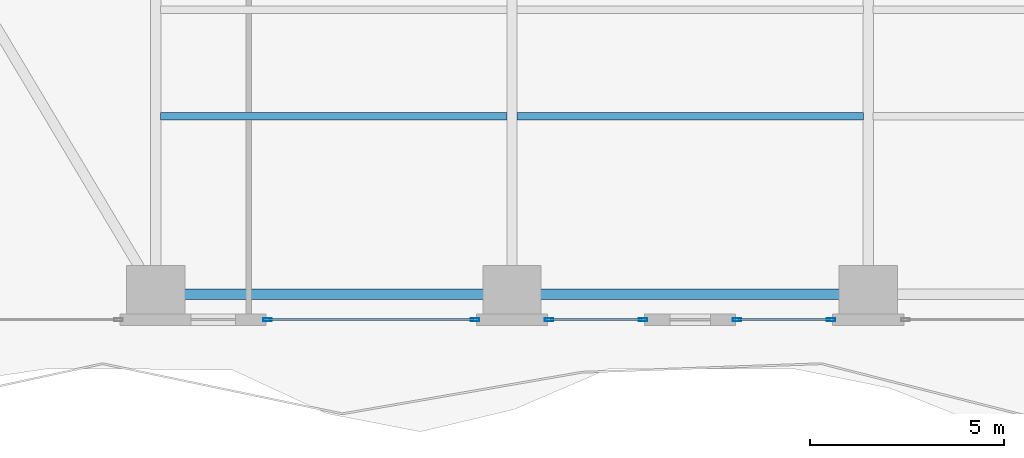
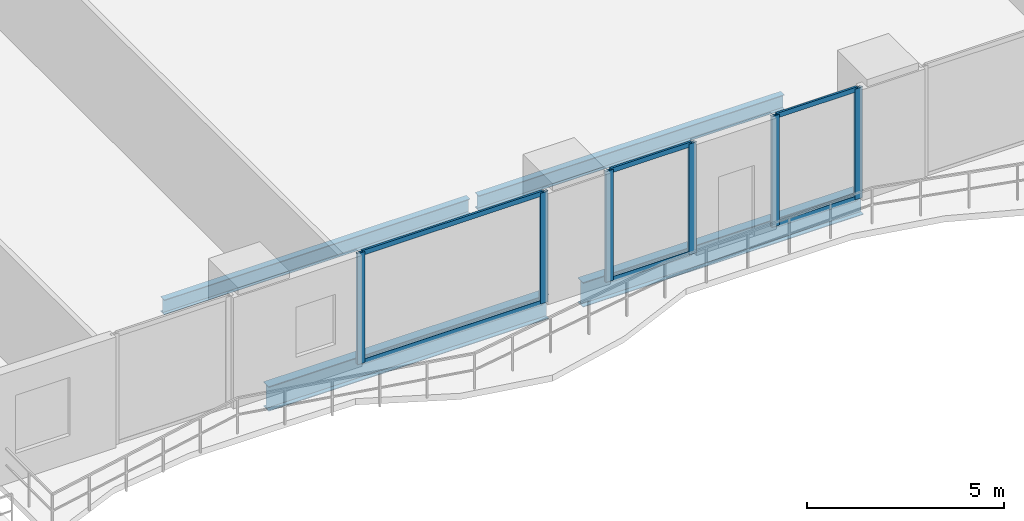
# One storey, part 4 of 28: 12 members, 4 beams, 3 elements without a shape of their own.
"""IFC4 building model written with IfcOpenShell, lengths in metres."""

import ifcopenshell
import ifcopenshell.guid

model = None  # the IFC model being written
_history = None  # IfcOwnerHistory: only IFC2X3 demands one
_inside = {}  # id of a spatial element -> (the spatial element, [elements in it])
_under = {}  # id of a project, library or spatial element -> (it, [spatial elements below it])
_declared = {}  # id of a project -> (the project, [libraries it declares])
_typed = {}  # id of a type object -> (the type object, [elements of that type])
_made_of = {}  # id of a material, layer set ... -> (it, [elements and type objects made of it])


def new_model(schema):
    """Start an empty IFC model of exactly this schema.

    Asked for "IFC4X3", IfcOpenShell would pick the latest addendum, in which some entities
    have other attributes; the version numbers below select the first issue.
    IFC2X3 requires an IfcOwnerHistory on every rooted entity: one is made here for all.
    """
    global model, _history
    if schema == "IFC4X3":
        model = ifcopenshell.file(schema_version=(4, 3, 0, 0))
    else:
        model = ifcopenshell.file(schema=schema)
    _inside.clear()
    _under.clear()
    _declared.clear()
    _typed.clear()
    _made_of.clear()
    _history = None
    if model.schema == "IFC2X3":
        org = make("IfcOrganization", Name="unknown")
        user = make(
            "IfcPersonAndOrganization",
            ThePerson=make("IfcPerson", FamilyName="unknown"),
            TheOrganization=org,
        )
        app = make(
            "IfcApplication",
            ApplicationDeveloper=org,
            Version="unknown",
            ApplicationFullName="unknown",
            ApplicationIdentifier="unknown",
        )
        _history = make(
            "IfcOwnerHistory",
            OwningUser=user,
            OwningApplication=app,
            ChangeAction="ADDED",
            CreationDate=0,
        )
    return model


def make(cls, **values):
    """One entity of the class cls with the attributes given. An attribute that is None is left unset."""
    return model.create_entity(
        cls, **{name: value for name, value in values.items() if value is not None}
    )


def rooted(cls, **values):
    """An entity with a GlobalId (a new one), such as an element, a storey or a relation."""
    return make(cls, GlobalId=ifcopenshell.guid.new(), OwnerHistory=_history, **values)


def si_unit(unit_type, name, prefix=None):
    """IfcSIUnit, for example si_unit("LENGTHUNIT", "METRE", prefix="MILLI")."""
    return make("IfcSIUnit", UnitType=unit_type, Prefix=prefix, Name=name)


def assignment(units):
    """IfcUnitAssignment: the units of a project."""
    return None if units is None else make("IfcUnitAssignment", Units=units)


def point(xyz):
    """IfcCartesianPoint."""
    return None if xyz is None else make("IfcCartesianPoint", Coordinates=xyz)


def direction(xyz):
    """IfcDirection."""
    return None if xyz is None else make("IfcDirection", DirectionRatios=xyz)


def frame(location, z_axis=None, x_axis=None):
    """IfcAxis2Placement3D, a coordinate frame: its origin and axes. An axis left out is left unset."""
    return make(
        "IfcAxis2Placement3D",
        Location=point(location),
        Axis=direction(z_axis),
        RefDirection=direction(x_axis),
    )


def frame_2d(location, x_axis=None):
    """IfcAxis2Placement2D, a coordinate frame in the plane: its origin and x axis."""
    return make(
        "IfcAxis2Placement2D", Location=point(location), RefDirection=direction(x_axis)
    )


def origin():
    """The frame at (0, 0, 0) with its axes left unset."""
    return frame((0.0, 0.0, 0.0))


def origin_2d():
    """The frame at (0, 0) in the plane with its x axis left unset."""
    return frame_2d((0.0, 0.0))


def place(relative_to, where):
    """IfcLocalPlacement: puts the frame where relative to a parent placement (None: the world)."""
    return make(
        "IfcLocalPlacement", PlacementRelTo=relative_to, RelativePlacement=where
    )


def context(
    kind, dimensions, precision=None, world=None, true_north=None, identifier=None
):
    """IfcGeometricRepresentationContext, for example the 3D "Model" context."""
    return make(
        "IfcGeometricRepresentationContext",
        ContextIdentifier=identifier,
        ContextType=kind,
        CoordinateSpaceDimension=dimensions,
        Precision=precision,
        WorldCoordinateSystem=world,
        TrueNorth=true_north,
    )


def subcontext(parent, identifier, kind, view, scale=None):
    """IfcGeometricRepresentationSubContext, for example "Body" below "Model"."""
    return make(
        "IfcGeometricRepresentationSubContext",
        ContextIdentifier=identifier,
        ContextType=kind,
        ParentContext=parent,
        TargetScale=scale,
        TargetView=view,
    )


def project(units=None, contexts=None):
    """IfcProject with its units and contexts."""
    return rooted(
        "IfcProject",
        Name="project",
        RepresentationContexts=contexts,
        UnitsInContext=assignment(units),
    )


def spatial(cls, under=None, at=None, **own):
    """A site, building, storey or space (cls), placed at a placement, below another one or the project."""
    s = rooted(cls, ObjectPlacement=at, **own)
    if under is not None:
        _under.setdefault(under.id(), (under, []))[1].append(s)
    return s


def profile(cls, at=None, kind="AREA", **sizes):
    """A parametric profile (cls). Its sizes go by their IFC names, for example OverallWidth=200.0."""
    return make(cls, ProfileType=kind, Position=at, **sizes)


def hollow_rectangle(**sizes):
    """IfcRectangleHollowProfileDef."""
    return profile("IfcRectangleHollowProfileDef", **sizes)


def i_section(**sizes):
    """IfcIShapeProfileDef."""
    return profile("IfcIShapeProfileDef", **sizes)


def extrude(swept, where, along, depth):
    """IfcExtrudedAreaSolid: the profile swept, set in the frame where, extruded along a direction by depth."""
    return make(
        "IfcExtrudedAreaSolid",
        SweptArea=swept,
        Position=where,
        ExtrudedDirection=direction(along),
        Depth=depth,
    )


def shape(context_of_items, identifier, shape_type, items):
    """IfcShapeRepresentation: the items that make up one representation, for example the "Body"."""
    return make(
        "IfcShapeRepresentation",
        ContextOfItems=context_of_items,
        RepresentationIdentifier=identifier,
        RepresentationType=shape_type,
        Items=items,
    )


def material(Name=None, Category=None):
    """IfcMaterial."""
    return make("IfcMaterial", Name=Name, Category=Category)


def layer(
    of_material, thickness, ventilated=None, Name=None, Category=None, Priority=None
):
    """IfcMaterialLayer: one layer of a wall or slab, of a material (None: an air gap)."""
    return make(
        "IfcMaterialLayer",
        Material=of_material,
        LayerThickness=thickness,
        IsVentilated=ventilated,
        Name=Name,
        Category=Category,
        Priority=Priority,
    )


def layer_set(layers, Name=None):
    """IfcMaterialLayerSet."""
    return make("IfcMaterialLayerSet", MaterialLayers=layers, LayerSetName=Name)


def material_profile(
    of_material, cross_section, Name=None, Category=None, Priority=None
):
    """IfcMaterialProfile: a cross section and its material."""
    return make(
        "IfcMaterialProfile",
        Name=Name,
        Material=of_material,
        Profile=cross_section,
        Priority=Priority,
        Category=Category,
    )


def profile_set(profiles, Name=None, composite=None):
    """IfcMaterialProfileSet."""
    return make(
        "IfcMaterialProfileSet",
        Name=Name,
        MaterialProfiles=profiles,
        CompositeProfile=composite,
    )


def made_of(thing, what):
    """Note that an element or type object is made of a material, layer set ...; save() writes the relation."""
    if what is not None:
        _made_of.setdefault(what.id(), (what, []))[1].append(thing)
    return thing


def type_object(cls, material=None, **own):
    """A type object (cls), such as IfcWallType, which elements share."""
    return made_of(rooted(cls, **own), material)


def element(
    cls,
    number,
    at=None,
    inside=None,
    cuts=None,
    type_object=None,
    material=None,
    context=None,
    identifier="Body",
    shape_type=None,
    held_by="IfcProductDefinitionShape",
    body=None,
    shapes=None,
    **own,
):
    """One element of the class cls, such as IfcWall. Its Tag is "e" and its number.

    at: its placement. inside: the storey or other place that contains it. cuts: it is an
    opening in that element (IfcRelVoidsElement). A single representation is given by context,
    identifier, shape_type and body (its items); several are given by shapes. held_by: the class
    of the entity that holds the representations. save() writes the other relations.
    """
    e = rooted(cls, Tag="e%d" % number, ObjectPlacement=at, **own)
    if body is not None:
        shapes = [shape(context, identifier, shape_type, body)]
    if shapes is not None:
        e.Representation = make(held_by, Representations=shapes)
    if inside is not None:
        _inside.setdefault(inside.id(), (inside, []))[1].append(e)
    if cuts is not None:
        rooted(
            "IfcRelVoidsElement", RelatingBuildingElement=cuts, RelatedOpeningElement=e
        )
    if type_object is not None:
        _typed.setdefault(type_object.id(), (type_object, []))[1].append(e)
    return made_of(e, material)


def aggregate(whole, parts):
    """IfcRelAggregates: a whole, such as a stair, and the parts it consists of."""
    return rooted("IfcRelAggregates", RelatingObject=whole, RelatedObjects=parts)


def save(model, path):
    """Write the relations noted so far, then the file.

    IfcRelAggregates (storeys below a building ...), IfcRelContainedInSpatialStructure (elements
    in a storey), IfcRelDefinesByType, IfcRelAssociatesMaterial and IfcRelDeclares: one each for
    every whole, place, type object, material and project.
    """
    for whole, parts in _under.values():
        aggregate(whole, parts)
    for where, things in _inside.values():
        rooted(
            "IfcRelContainedInSpatialStructure",
            RelatedElements=things,
            RelatingStructure=where,
        )
    for kind, things in _typed.values():
        rooted("IfcRelDefinesByType", RelatedObjects=things, RelatingType=kind)
    for what, things in _made_of.values():
        rooted("IfcRelAssociatesMaterial", RelatedObjects=things, RelatingMaterial=what)
    for by, libraries in _declared.values():
        rooted("IfcRelDeclares", RelatingContext=by, RelatedDefinitions=libraries)
    model.write(path)


model = new_model("IFC4")

# Units and contexts
model_context = context("Model", 3, precision=1e-05, world=origin(), true_north=direction((0.0, 1.0)))
body_context = subcontext(model_context, "Body", "Model", "MODEL_VIEW")
ifc_project = project(units=[si_unit("LENGTHUNIT", "METRE"), si_unit("AREAUNIT", "SQUARE_METRE"), si_unit("VOLUMEUNIT", "CUBIC_METRE"), si_unit("PLANEANGLEUNIT", "RADIAN"), si_unit("MASSUNIT", "GRAM", prefix="KILO")], contexts=[model_context])

# Site, building, storey
site_placement = place(None, origin())
site = spatial("IfcSite", under=ifc_project, at=site_placement, CompositionType="ELEMENT")
building_placement = place(site_placement, origin())
building = spatial("IfcBuilding", under=site, at=building_placement, Name="Zuhayl Quay Hotel", CompositionType="ELEMENT")
storey_placement = place(building_placement, frame((0.0, 0.0, 75.050048828125)))
storey = spatial("IfcBuildingStorey", under=building, at=storey_placement, Name="L18", CompositionType="ELEMENT", Elevation=75.050048828125)

# Beams
ifc_material_1 = material(Name="Steel ASTM A992 Grade 50", Category="steel")
ifc_material_profile_1 = material_profile(ifc_material_1, i_section(OverallWidth=0.26708984375, OverallDepth=0.761962890625, WebThickness=0.014404296875, FlangeThickness=0.021484375, at=origin_2d()), Name="W30X116")
ifc_profile_set_1 = profile_set([ifc_material_profile_1], Name="Steel ASTM A992 Grade 50")
beam_type_1 = type_object("IfcBeamType", Name="BM_B1_W30X116", PredefinedType="BEAM", material=ifc_profile_set_1)
beam_1_placement = place(storey_placement, frame((-13.300048828125, -22.449951171875, -0.60107421875), z_axis=(1.0, 0.0, 0.0), x_axis=(0.0, 1.0, 0.0)))
element("IfcBeam", 1, at=beam_1_placement, inside=storey, type_object=beam_type_1, Name="L18 Floor Beam RG_L18_01", PredefinedType="BEAM", context=body_context, shape_type="SweptSolid", body=[
    extrude(i_section(OverallWidth=0.26708984375, OverallDepth=0.761962890625, WebThickness=0.014404296875, FlangeThickness=0.021484375, at=origin_2d()), origin(), (0.0, 0.0, 1.0), 8.199951171875),
])
beam_2_placement = place(storey_placement, frame((-4.10009765625, -22.449951171875, -0.60107421875), z_axis=(1.0, 0.0, 0.0), x_axis=(0.0, 1.0, 0.0)))
element("IfcBeam", 2, at=beam_2_placement, inside=storey, type_object=beam_type_1, Name="L18 Floor Beam RG_L18_02", PredefinedType="BEAM", context=body_context, shape_type="SweptSolid", body=[
    extrude(i_section(OverallWidth=0.26708984375, OverallDepth=0.761962890625, WebThickness=0.014404296875, FlangeThickness=0.021484375, at=origin_2d()), origin(), (0.0, 0.0, 1.0), 8.2001953125),
])
ifc_material_profile_2 = material_profile(ifc_material_1, i_section(OverallWidth=0.18994140625, OverallDepth=0.45703125, WebThickness=0.009033203125, FlangeThickness=0.014404296875, at=origin_2d()), Name="W18X50")
ifc_profile_set_2 = profile_set([ifc_material_profile_2], Name="Steel ASTM A992 Grade 50")
beam_type_2 = type_object("IfcBeamType", Name="BM_J2_W18X50", PredefinedType="JOIST", material=ifc_profile_set_2)
beam_3_placement = place(storey_placement, frame((-13.674560546875, -17.85009765625, -0.448486328125), z_axis=(1.0, 0.0, 0.0), x_axis=(0.0, 1.0, 0.0)))
element("IfcBeam", 3, at=beam_3_placement, inside=storey, type_object=beam_type_2, Name="L18 Floor Beam FJ_L18_3_1", PredefinedType="JOIST", context=body_context, shape_type="SweptSolid", body=[
    extrude(i_section(OverallWidth=0.18994140625, OverallDepth=0.45703125, WebThickness=0.009033203125, FlangeThickness=0.014404296875, at=origin_2d()), origin(), (0.0, 0.0, 1.0), 8.948974609375),
])
beam_4_placement = place(storey_placement, frame((-4.474609375, -17.85009765625, -0.448486328125), z_axis=(1.0, 0.0, 0.0), x_axis=(0.0, 1.0, 0.0)))
element("IfcBeam", 4, at=beam_4_placement, inside=storey, type_object=beam_type_2, Name="L18 Floor Beam FJ_L18_3_2", PredefinedType="JOIST", context=body_context, shape_type="SweptSolid", body=[
    extrude(i_section(OverallWidth=0.18994140625, OverallDepth=0.45703125, WebThickness=0.009033203125, FlangeThickness=0.014404296875, at=origin_2d()), origin(), (0.0, 0.0, 1.0), 8.94921875),
])

# Curtain wall, members
ifc_material_2 = material(Name="Anodised Aluminium 6063-T6", Category="aluminium")
ifc_layer = layer(ifc_material_2, 0.18994140625, Name="Anodised Aluminium 6063-T6", Category="aluminium")
ifc_layer_set = layer_set([ifc_layer], Name="Anodised Aluminium 6063-T6")
curtain_wall_type = type_object("IfcCurtainWallType", Name="CW_SYS_Z1", PredefinedType="USERDEFINED", material=ifc_layer_set)
curtain_wall_1_placement = place(storey_placement, origin())
curtain_wall_1 = element("IfcCurtainWall", 5, at=curtain_wall_1_placement, inside=storey, type_object=curtain_wall_type, Name="L18 Curtain Wall ENV_L18_S_CW3", ObjectType="UNITISED CURTAIN WALL", PredefinedType="USERDEFINED")
ifc_material_3 = material(Name="Black-anodised aluminium 6063-T6", Category="aluminium")
ifc_material_profile_3 = material_profile(ifc_material_3, hollow_rectangle(XDim=0.074951171875, YDim=0.219970703125, WallThickness=0.00390625, at=origin_2d()), Name="ALU220X75")
ifc_profile_set_3 = profile_set([ifc_material_profile_3], Name="Black-anodised aluminium 6063-T6")
member_type_1 = type_object("IfcMemberType", Name="MB_CW_MUL_220", PredefinedType="MULLION", material=ifc_profile_set_3)
member_1_placement = place(storey_placement, frame((3.642578125, -23.10009765625, 0.0), z_axis=(0.0, 0.0, 1.0), x_axis=(0.0, -1.0, 0.0)))
member_1 = element("IfcMember", 6, at=member_1_placement, type_object=member_type_1, Name="CW-Z1 mullion 1", PredefinedType="MULLION", context=body_context, shape_type="SweptSolid", body=[
    extrude(hollow_rectangle(XDim=0.074951171875, YDim=0.219970703125, WallThickness=0.00390625, at=origin_2d()), origin(), (0.0, 0.0, 1.0), 3.429931640625),
])
member_2_placement = place(storey_placement, frame((1.21240234375, -23.10009765625, 0.0), z_axis=(0.0, 0.0, 1.0), x_axis=(0.0, -1.0, 0.0)))
member_2 = element("IfcMember", 7, at=member_2_placement, type_object=member_type_1, Name="CW-Z1 mullion 2", PredefinedType="MULLION", context=body_context, shape_type="SweptSolid", body=[
    extrude(hollow_rectangle(XDim=0.074951171875, YDim=0.219970703125, WallThickness=0.00390625, at=origin_2d()), origin(), (0.0, 0.0, 1.0), 3.429931640625),
])

curtain_wall_2_placement = place(storey_placement, origin())
curtain_wall_2 = element("IfcCurtainWall", 8, at=curtain_wall_2_placement, inside=storey, type_object=curtain_wall_type, Name="L18 Curtain Wall ENV_L18_S_CW4", ObjectType="UNITISED CURTAIN WALL", PredefinedType="USERDEFINED")
member_3_placement = place(storey_placement, frame((-1.21240234375, -23.10009765625, 0.0), z_axis=(0.0, 0.0, 1.0), x_axis=(0.0, -1.0, 0.0)))
member_3 = element("IfcMember", 9, at=member_3_placement, type_object=member_type_1, Name="CW-Z1 mullion 1", PredefinedType="MULLION", context=body_context, shape_type="SweptSolid", body=[
    extrude(hollow_rectangle(XDim=0.074951171875, YDim=0.219970703125, WallThickness=0.00390625, at=origin_2d()), origin(), (0.0, 0.0, 1.0), 3.429931640625),
])
member_4_placement = place(storey_placement, frame((-3.642578125, -23.10009765625, 0.0), z_axis=(0.0, 0.0, 1.0), x_axis=(0.0, -1.0, 0.0)))
member_4 = element("IfcMember", 10, at=member_4_placement, type_object=member_type_1, Name="CW-Z1 mullion 2", PredefinedType="MULLION", context=body_context, shape_type="SweptSolid", body=[
    extrude(hollow_rectangle(XDim=0.074951171875, YDim=0.219970703125, WallThickness=0.00390625, at=origin_2d()), origin(), (0.0, 0.0, 1.0), 3.429931640625),
])

curtain_wall_3_placement = place(storey_placement, origin())
curtain_wall_3 = element("IfcCurtainWall", 11, at=curtain_wall_3_placement, inside=storey, type_object=curtain_wall_type, Name="L18 Curtain Wall ENV_L18_S_CW5", ObjectType="UNITISED CURTAIN WALL", PredefinedType="USERDEFINED")
member_5_placement = place(storey_placement, frame((-5.5576171875, -23.10009765625, 0.0), z_axis=(0.0, 0.0, 1.0), x_axis=(0.0, -1.0, 0.0)))
member_5 = element("IfcMember", 12, at=member_5_placement, type_object=member_type_1, Name="CW-Z1 mullion 1", PredefinedType="MULLION", context=body_context, shape_type="SweptSolid", body=[
    extrude(hollow_rectangle(XDim=0.074951171875, YDim=0.219970703125, WallThickness=0.00390625, at=origin_2d()), origin(), (0.0, 0.0, 1.0), 3.429931640625),
])
member_6_placement = place(storey_placement, frame((-10.91259765625, -23.10009765625, 0.0), z_axis=(0.0, 0.0, 1.0), x_axis=(0.0, -1.0, 0.0)))
member_6 = element("IfcMember", 13, at=member_6_placement, type_object=member_type_1, Name="CW-Z1 mullion 2", PredefinedType="MULLION", context=body_context, shape_type="SweptSolid", body=[
    extrude(hollow_rectangle(XDim=0.074951171875, YDim=0.219970703125, WallThickness=0.00390625, at=origin_2d()), origin(), (0.0, 0.0, 1.0), 3.429931640625),
])

# Member
ifc_material_profile_4 = material_profile(ifc_material_3, hollow_rectangle(XDim=0.06005859375, YDim=0.14990234375, WallThickness=0.00341796875, at=origin_2d()), Name="ALU150X60")
ifc_profile_set_4 = profile_set([ifc_material_profile_4], Name="Black-anodised aluminium 6063-T6")
member_type_2 = type_object("IfcMemberType", Name="MB_CW_TRN_150", PredefinedType="USERDEFINED", material=ifc_profile_set_4)
member_7_placement = place(storey_placement, frame((3.60498046875, -23.10009765625, 0.030029296875), z_axis=(-1.0, 0.0, 0.0), x_axis=(0.0, -1.0, 0.0)))
member_7 = element("IfcMember", 14, at=member_7_placement, type_object=member_type_2, Name="CW-Z1 transom 1.1", ObjectType="TRANSOM", PredefinedType="USERDEFINED", context=body_context, shape_type="SweptSolid", body=[
    extrude(hollow_rectangle(XDim=0.06005859375, YDim=0.14990234375, WallThickness=0.00341796875, at=origin_2d()), origin(), (0.0, 0.0, 1.0), 2.35498046875),
])

member_8_placement = place(storey_placement, frame((3.60498046875, -23.10009765625, 3.39990234375), z_axis=(-1.0, 0.0, 0.0), x_axis=(0.0, -1.0, 0.0)))
member_8 = element("IfcMember", 15, at=member_8_placement, type_object=member_type_2, Name="CW-Z1 transom 1.2", ObjectType="TRANSOM", PredefinedType="USERDEFINED", context=body_context, shape_type="SweptSolid", body=[
    extrude(hollow_rectangle(XDim=0.06005859375, YDim=0.14990234375, WallThickness=0.00341796875, at=origin_2d()), origin(), (0.0, 0.0, 1.0), 2.35498046875),
])

aggregate(curtain_wall_1, [member_1, member_2, member_7, member_8])

member_9_placement = place(storey_placement, frame((-1.25, -23.10009765625, 0.030029296875), z_axis=(-1.0, 0.0, 0.0), x_axis=(0.0, -1.0, 0.0)))
member_9 = element("IfcMember", 16, at=member_9_placement, type_object=member_type_2, Name="CW-Z1 transom 1.1", ObjectType="TRANSOM", PredefinedType="USERDEFINED", context=body_context, shape_type="SweptSolid", body=[
    extrude(hollow_rectangle(XDim=0.06005859375, YDim=0.14990234375, WallThickness=0.00341796875, at=origin_2d()), origin(), (0.0, 0.0, 1.0), 2.35498046875),
])

member_10_placement = place(storey_placement, frame((-1.25, -23.10009765625, 3.39990234375), z_axis=(-1.0, 0.0, 0.0), x_axis=(0.0, -1.0, 0.0)))
member_10 = element("IfcMember", 17, at=member_10_placement, type_object=member_type_2, Name="CW-Z1 transom 1.2", ObjectType="TRANSOM", PredefinedType="USERDEFINED", context=body_context, shape_type="SweptSolid", body=[
    extrude(hollow_rectangle(XDim=0.06005859375, YDim=0.14990234375, WallThickness=0.00341796875, at=origin_2d()), origin(), (0.0, 0.0, 1.0), 2.35498046875),
])

aggregate(curtain_wall_2, [member_3, member_4, member_9, member_10])

member_11_placement = place(storey_placement, frame((-5.594970703125, -23.10009765625, 0.030029296875), z_axis=(-1.0, 0.0, 0.0), x_axis=(0.0, -1.0, 0.0)))
member_11 = element("IfcMember", 18, at=member_11_placement, type_object=member_type_2, Name="CW-Z1 transom 1.1", ObjectType="TRANSOM", PredefinedType="USERDEFINED", context=body_context, shape_type="SweptSolid", body=[
    extrude(hollow_rectangle(XDim=0.06005859375, YDim=0.14990234375, WallThickness=0.00341796875, at=origin_2d()), origin(), (0.0, 0.0, 1.0), 5.280029296875),
])

member_12_placement = place(storey_placement, frame((-5.594970703125, -23.10009765625, 3.39990234375), z_axis=(-1.0, 0.0, 0.0), x_axis=(0.0, -1.0, 0.0)))
member_12 = element("IfcMember", 19, at=member_12_placement, type_object=member_type_2, Name="CW-Z1 transom 1.2", ObjectType="TRANSOM", PredefinedType="USERDEFINED", context=body_context, shape_type="SweptSolid", body=[
    extrude(hollow_rectangle(XDim=0.06005859375, YDim=0.14990234375, WallThickness=0.00341796875, at=origin_2d()), origin(), (0.0, 0.0, 1.0), 5.280029296875),
])

aggregate(curtain_wall_3, [member_5, member_6, member_11, member_12])

save(model, "model.ifc")
